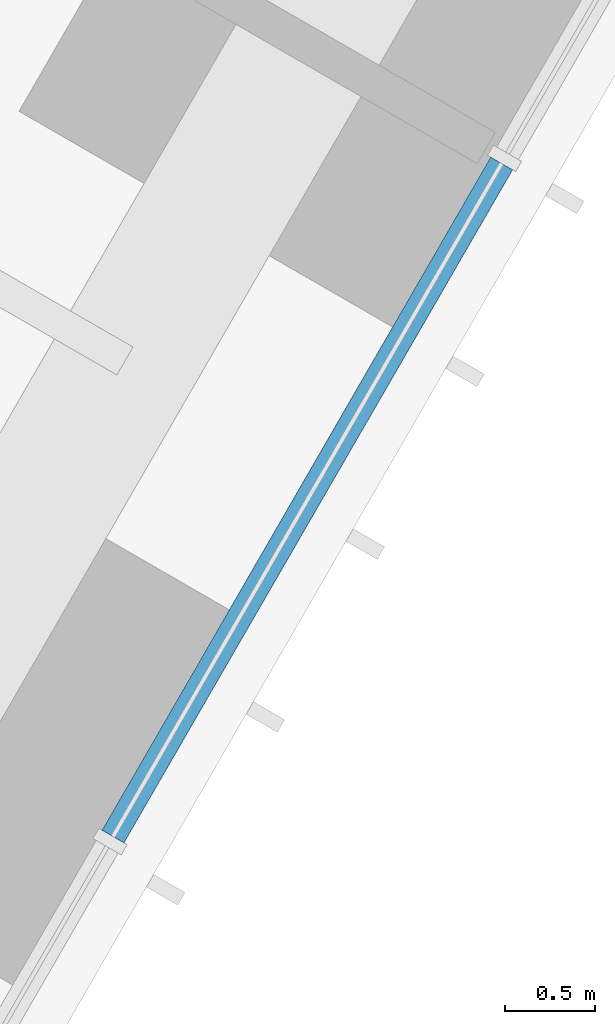
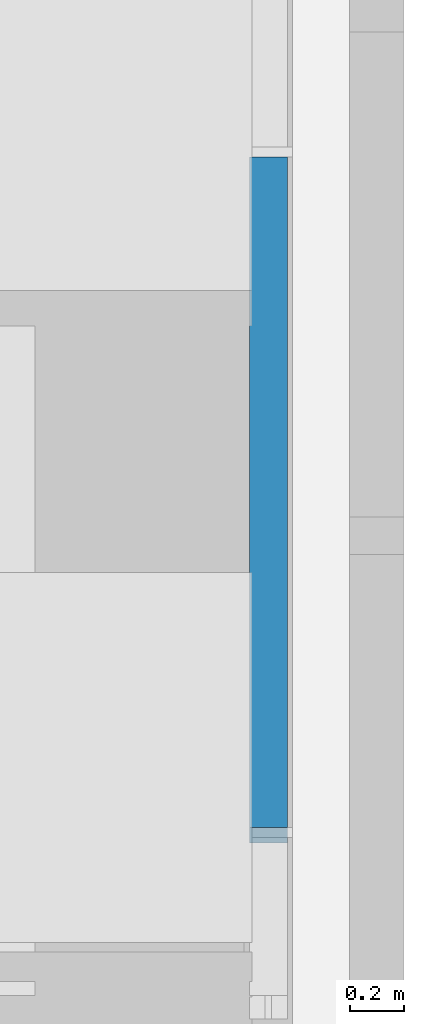
# One storey, part 100 of 256: 1 member, 1 element without a shape of its own.
"""IFC4 building model written with IfcOpenShell, lengths in metres."""

from ifc_helpers import new_model, si_unit, direction, frame, origin, origin_2d, place, context, subcontext, project, spatial, rectangle, extrude, material, material_profile, profile_set, type_object, element, aggregate, save


model = new_model("IFC4")

# Units and contexts
model_context = context("Model", 3, precision=1e-05, world=origin(), true_north=direction((0.0, 1.0)))
body_context = subcontext(model_context, "Body", "Model", "MODEL_VIEW")
ifc_project = project(units=[si_unit("LENGTHUNIT", "METRE"), si_unit("AREAUNIT", "SQUARE_METRE"), si_unit("VOLUMEUNIT", "CUBIC_METRE"), si_unit("PLANEANGLEUNIT", "RADIAN"), si_unit("MASSUNIT", "GRAM", prefix="KILO")], contexts=[model_context])

# Site, building, storey
site_placement = place(None, origin())
site = spatial("IfcSite", under=ifc_project, at=site_placement, CompositionType="ELEMENT")
building_placement = place(site_placement, origin())
building = spatial("IfcBuilding", under=site, at=building_placement, Name="Sandreach Pilgrim Tower", CompositionType="ELEMENT")
storey_placement = place(building_placement, frame((0.0, 0.0, 23.0)))
storey = spatial("IfcBuildingStorey", under=building, at=storey_placement, Name="L04", CompositionType="ELEMENT", Elevation=23.0)

# Curtain wall, member
ifc_material_1 = material(Name="Aluminium framed curtain wall", Category="aluminium")
curtain_wall_type = type_object("IfcCurtainWallType", Name="Hostel tower curtain wall", PredefinedType="NOTDEFINED", material=ifc_material_1)
curtain_wall_placement = place(storey_placement, origin())
curtain_wall = element("IfcCurtainWall", 1, at=curtain_wall_placement, inside=storey, type_object=curtain_wall_type, Name="CW-1 L04 SE", PredefinedType="NOTDEFINED")
ifc_material_2 = material(Name="Aluminium extrusion", Category="aluminium")
ifc_material_profile = material_profile(ifc_material_2, rectangle(XDim=0.139892578125, YDim=0.070068359375, at=origin_2d()), Name="CW-1T 140X70")
ifc_profile_set = profile_set([ifc_material_profile], Name="Aluminium extrusion")
member_type = type_object("IfcMemberType", Name="CW-1 transom", PredefinedType="USERDEFINED", material=ifc_profile_set)
member_placement = place(storey_placement, frame((19.631103515625, -13.8955078125, 3.60498046875), z_axis=(-0.500016891966, -0.866015650984, 0.0), x_axis=(0.866015650984, -0.500016891966, 0.0)))
member = element("IfcMember", 2, at=member_placement, type_object=member_type, Name="CW-1 head transom 6", ObjectType="TRANSOM", PredefinedType="USERDEFINED", context=body_context, shape_type="SweptSolid", body=[
    extrude(rectangle(XDim=0.139892578125, YDim=0.070068359375, at=origin_2d()), origin(), (0.0, 0.0, 1.0), 4.306396484375),
])
aggregate(curtain_wall, [member])

save(model, "model.ifc")
